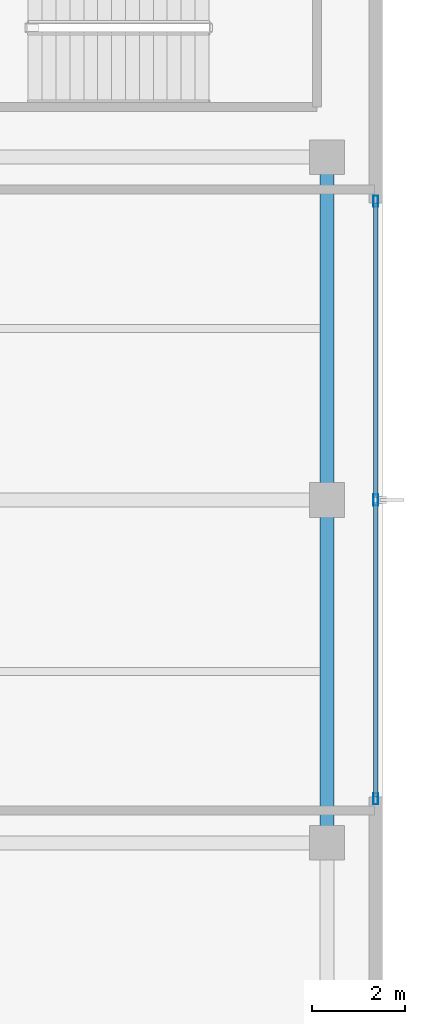
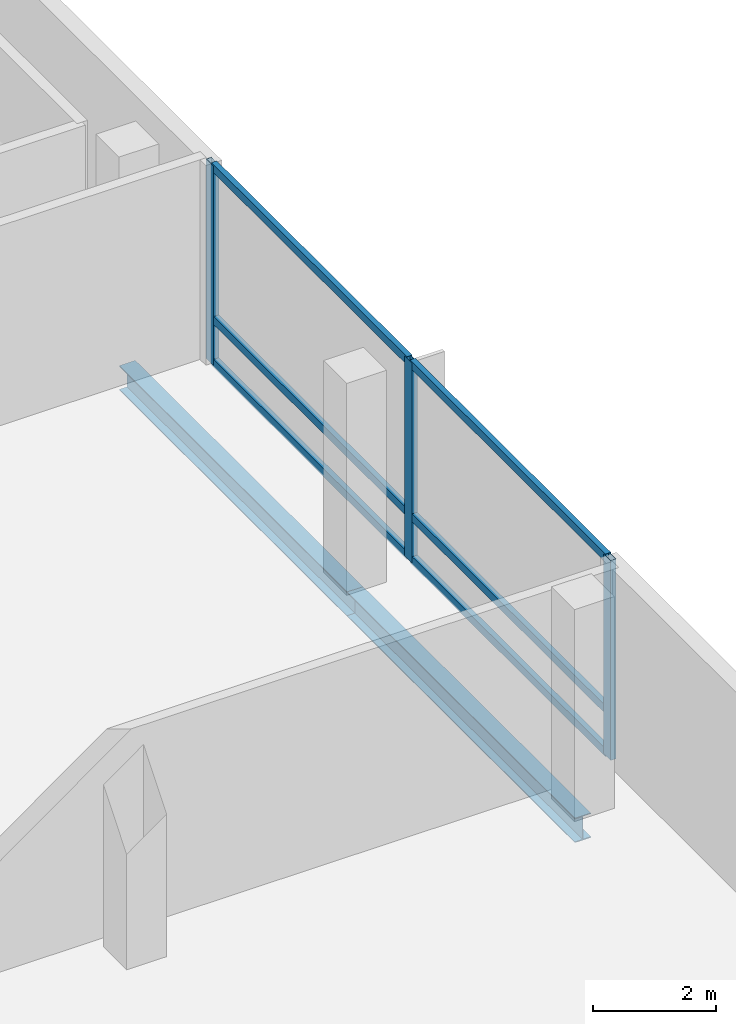
# One storey, part 6 of 19: 9 members, 2 beams, 1 element without a shape of its own.
"""IFC4 building model written with IfcOpenShell, lengths in metres."""

import ifcopenshell
import ifcopenshell.guid

model = None  # the IFC model being written
_history = None  # IfcOwnerHistory: only IFC2X3 demands one
_inside = {}  # id of a spatial element -> (the spatial element, [elements in it])
_under = {}  # id of a project, library or spatial element -> (it, [spatial elements below it])
_declared = {}  # id of a project -> (the project, [libraries it declares])
_typed = {}  # id of a type object -> (the type object, [elements of that type])
_made_of = {}  # id of a material, layer set ... -> (it, [elements and type objects made of it])


def new_model(schema):
    """Start an empty IFC model of exactly this schema.

    Asked for "IFC4X3", IfcOpenShell would pick the latest addendum, in which some entities
    have other attributes; the version numbers below select the first issue.
    IFC2X3 requires an IfcOwnerHistory on every rooted entity: one is made here for all.
    """
    global model, _history
    if schema == "IFC4X3":
        model = ifcopenshell.file(schema_version=(4, 3, 0, 0))
    else:
        model = ifcopenshell.file(schema=schema)
    _inside.clear()
    _under.clear()
    _declared.clear()
    _typed.clear()
    _made_of.clear()
    _history = None
    if model.schema == "IFC2X3":
        org = make("IfcOrganization", Name="unknown")
        user = make(
            "IfcPersonAndOrganization",
            ThePerson=make("IfcPerson", FamilyName="unknown"),
            TheOrganization=org,
        )
        app = make(
            "IfcApplication",
            ApplicationDeveloper=org,
            Version="unknown",
            ApplicationFullName="unknown",
            ApplicationIdentifier="unknown",
        )
        _history = make(
            "IfcOwnerHistory",
            OwningUser=user,
            OwningApplication=app,
            ChangeAction="ADDED",
            CreationDate=0,
        )
    return model


def make(cls, **values):
    """One entity of the class cls with the attributes given. An attribute that is None is left unset."""
    return model.create_entity(
        cls, **{name: value for name, value in values.items() if value is not None}
    )


def rooted(cls, **values):
    """An entity with a GlobalId (a new one), such as an element, a storey or a relation."""
    return make(cls, GlobalId=ifcopenshell.guid.new(), OwnerHistory=_history, **values)


def si_unit(unit_type, name, prefix=None):
    """IfcSIUnit, for example si_unit("LENGTHUNIT", "METRE", prefix="MILLI")."""
    return make("IfcSIUnit", UnitType=unit_type, Prefix=prefix, Name=name)


def assignment(units):
    """IfcUnitAssignment: the units of a project."""
    return None if units is None else make("IfcUnitAssignment", Units=units)


def point(xyz):
    """IfcCartesianPoint."""
    return None if xyz is None else make("IfcCartesianPoint", Coordinates=xyz)


def direction(xyz):
    """IfcDirection."""
    return None if xyz is None else make("IfcDirection", DirectionRatios=xyz)


def frame(location, z_axis=None, x_axis=None):
    """IfcAxis2Placement3D, a coordinate frame: its origin and axes. An axis left out is left unset."""
    return make(
        "IfcAxis2Placement3D",
        Location=point(location),
        Axis=direction(z_axis),
        RefDirection=direction(x_axis),
    )


def frame_2d(location, x_axis=None):
    """IfcAxis2Placement2D, a coordinate frame in the plane: its origin and x axis."""
    return make(
        "IfcAxis2Placement2D", Location=point(location), RefDirection=direction(x_axis)
    )


def origin():
    """The frame at (0, 0, 0) with its axes left unset."""
    return frame((0.0, 0.0, 0.0))


def origin_2d():
    """The frame at (0, 0) in the plane with its x axis left unset."""
    return frame_2d((0.0, 0.0))


def place(relative_to, where):
    """IfcLocalPlacement: puts the frame where relative to a parent placement (None: the world)."""
    return make(
        "IfcLocalPlacement", PlacementRelTo=relative_to, RelativePlacement=where
    )


def context(
    kind, dimensions, precision=None, world=None, true_north=None, identifier=None
):
    """IfcGeometricRepresentationContext, for example the 3D "Model" context."""
    return make(
        "IfcGeometricRepresentationContext",
        ContextIdentifier=identifier,
        ContextType=kind,
        CoordinateSpaceDimension=dimensions,
        Precision=precision,
        WorldCoordinateSystem=world,
        TrueNorth=true_north,
    )


def subcontext(parent, identifier, kind, view, scale=None):
    """IfcGeometricRepresentationSubContext, for example "Body" below "Model"."""
    return make(
        "IfcGeometricRepresentationSubContext",
        ContextIdentifier=identifier,
        ContextType=kind,
        ParentContext=parent,
        TargetScale=scale,
        TargetView=view,
    )


def project(units=None, contexts=None):
    """IfcProject with its units and contexts."""
    return rooted(
        "IfcProject",
        Name="project",
        RepresentationContexts=contexts,
        UnitsInContext=assignment(units),
    )


def spatial(cls, under=None, at=None, **own):
    """A site, building, storey or space (cls), placed at a placement, below another one or the project."""
    s = rooted(cls, ObjectPlacement=at, **own)
    if under is not None:
        _under.setdefault(under.id(), (under, []))[1].append(s)
    return s


def profile(cls, at=None, kind="AREA", **sizes):
    """A parametric profile (cls). Its sizes go by their IFC names, for example OverallWidth=200.0."""
    return make(cls, ProfileType=kind, Position=at, **sizes)


def hollow_rectangle(**sizes):
    """IfcRectangleHollowProfileDef."""
    return profile("IfcRectangleHollowProfileDef", **sizes)


def i_section(**sizes):
    """IfcIShapeProfileDef."""
    return profile("IfcIShapeProfileDef", **sizes)


def extrude(swept, where, along, depth):
    """IfcExtrudedAreaSolid: the profile swept, set in the frame where, extruded along a direction by depth."""
    return make(
        "IfcExtrudedAreaSolid",
        SweptArea=swept,
        Position=where,
        ExtrudedDirection=direction(along),
        Depth=depth,
    )


def shape(context_of_items, identifier, shape_type, items):
    """IfcShapeRepresentation: the items that make up one representation, for example the "Body"."""
    return make(
        "IfcShapeRepresentation",
        ContextOfItems=context_of_items,
        RepresentationIdentifier=identifier,
        RepresentationType=shape_type,
        Items=items,
    )


def material(Name=None, Category=None):
    """IfcMaterial."""
    return make("IfcMaterial", Name=Name, Category=Category)


def layer(
    of_material, thickness, ventilated=None, Name=None, Category=None, Priority=None
):
    """IfcMaterialLayer: one layer of a wall or slab, of a material (None: an air gap)."""
    return make(
        "IfcMaterialLayer",
        Material=of_material,
        LayerThickness=thickness,
        IsVentilated=ventilated,
        Name=Name,
        Category=Category,
        Priority=Priority,
    )


def layer_set(layers, Name=None):
    """IfcMaterialLayerSet."""
    return make("IfcMaterialLayerSet", MaterialLayers=layers, LayerSetName=Name)


def material_profile(
    of_material, cross_section, Name=None, Category=None, Priority=None
):
    """IfcMaterialProfile: a cross section and its material."""
    return make(
        "IfcMaterialProfile",
        Name=Name,
        Material=of_material,
        Profile=cross_section,
        Priority=Priority,
        Category=Category,
    )


def profile_set(profiles, Name=None, composite=None):
    """IfcMaterialProfileSet."""
    return make(
        "IfcMaterialProfileSet",
        Name=Name,
        MaterialProfiles=profiles,
        CompositeProfile=composite,
    )


def made_of(thing, what):
    """Note that an element or type object is made of a material, layer set ...; save() writes the relation."""
    if what is not None:
        _made_of.setdefault(what.id(), (what, []))[1].append(thing)
    return thing


def type_object(cls, material=None, **own):
    """A type object (cls), such as IfcWallType, which elements share."""
    return made_of(rooted(cls, **own), material)


def element(
    cls,
    number,
    at=None,
    inside=None,
    cuts=None,
    type_object=None,
    material=None,
    context=None,
    identifier="Body",
    shape_type=None,
    held_by="IfcProductDefinitionShape",
    body=None,
    shapes=None,
    **own,
):
    """One element of the class cls, such as IfcWall. Its Tag is "e" and its number.

    at: its placement. inside: the storey or other place that contains it. cuts: it is an
    opening in that element (IfcRelVoidsElement). A single representation is given by context,
    identifier, shape_type and body (its items); several are given by shapes. held_by: the class
    of the entity that holds the representations. save() writes the other relations.
    """
    e = rooted(cls, Tag="e%d" % number, ObjectPlacement=at, **own)
    if body is not None:
        shapes = [shape(context, identifier, shape_type, body)]
    if shapes is not None:
        e.Representation = make(held_by, Representations=shapes)
    if inside is not None:
        _inside.setdefault(inside.id(), (inside, []))[1].append(e)
    if cuts is not None:
        rooted(
            "IfcRelVoidsElement", RelatingBuildingElement=cuts, RelatedOpeningElement=e
        )
    if type_object is not None:
        _typed.setdefault(type_object.id(), (type_object, []))[1].append(e)
    return made_of(e, material)


def aggregate(whole, parts):
    """IfcRelAggregates: a whole, such as a stair, and the parts it consists of."""
    return rooted("IfcRelAggregates", RelatingObject=whole, RelatedObjects=parts)


def save(model, path):
    """Write the relations noted so far, then the file.

    IfcRelAggregates (storeys below a building ...), IfcRelContainedInSpatialStructure (elements
    in a storey), IfcRelDefinesByType, IfcRelAssociatesMaterial and IfcRelDeclares: one each for
    every whole, place, type object, material and project.
    """
    for whole, parts in _under.values():
        aggregate(whole, parts)
    for where, things in _inside.values():
        rooted(
            "IfcRelContainedInSpatialStructure",
            RelatedElements=things,
            RelatingStructure=where,
        )
    for kind, things in _typed.values():
        rooted("IfcRelDefinesByType", RelatedObjects=things, RelatingType=kind)
    for what, things in _made_of.values():
        rooted("IfcRelAssociatesMaterial", RelatedObjects=things, RelatingMaterial=what)
    for by, libraries in _declared.values():
        rooted("IfcRelDeclares", RelatingContext=by, RelatedDefinitions=libraries)
    model.write(path)


model = new_model("IFC4")

# Units and contexts
model_context = context("Model", 3, precision=1e-05, world=origin(), true_north=direction((0.0, 1.0)))
body_context = subcontext(model_context, "Body", "Model", "MODEL_VIEW")
ifc_project = project(units=[si_unit("LENGTHUNIT", "METRE"), si_unit("AREAUNIT", "SQUARE_METRE"), si_unit("VOLUMEUNIT", "CUBIC_METRE"), si_unit("PLANEANGLEUNIT", "RADIAN"), si_unit("MASSUNIT", "GRAM", prefix="KILO")], contexts=[model_context])

# Site, building, storey
site_placement = place(None, origin())
site = spatial("IfcSite", under=ifc_project, at=site_placement, CompositionType="ELEMENT")
building_placement = place(site_placement, origin())
building = spatial("IfcBuilding", under=site, at=building_placement, Name="Khorvyn Point Tower", CompositionType="ELEMENT")
storey_placement = place(building_placement, frame((0.0, 0.0, 4.800048828125)))
storey = spatial("IfcBuildingStorey", under=building, at=storey_placement, Name="L02", CompositionType="ELEMENT", Elevation=4.800048828125)

# Curtain wall, members
ifc_material_1 = material(Name="Anodised aluminium 6063-T6 and laminated Low-E glass", Category="aluminium")
ifc_layer = layer(ifc_material_1, 0.18994140625)
ifc_layer_set = layer_set([ifc_layer], Name="Stick-Built Low-E Podium Curtain Wall CW-SYS-01")
curtain_wall_type = type_object("IfcCurtainWallType", Name="Stick-Built Low-E Podium Curtain Wall CW-SYS-01", PredefinedType="NOTDEFINED", material=ifc_layer_set)
curtain_wall_placement = place(storey_placement, origin())
curtain_wall = element("IfcCurtainWall", 1, at=curtain_wall_placement, inside=storey, type_object=curtain_wall_type, Name="Curtain Wall", PredefinedType="NOTDEFINED")
ifc_material_2 = material(Name="Anodised aluminium 6063-T6", Category="aluminium")
ifc_material_profile_1 = material_profile(ifc_material_2, hollow_rectangle(XDim=0.10009765625, YDim=0.239990234375, WallThickness=0.0048828125, at=origin_2d()))
ifc_profile_set_1 = profile_set([ifc_material_profile_1], Name="Anodised aluminium 6063-T6 ALU-MUL-100x240")
member_type_1 = type_object("IfcMemberType", Name="Anodised Aluminium 6063-T6 Mullion ALU-MUL-100x240", PredefinedType="MULLION", material=ifc_profile_set_1)
member_1_placement = place(storey_placement, frame((33.449951171875, -6.449951171875, 0.0), z_axis=(0.0, 0.0, 1.0), x_axis=(-1.0, 0.0, 0.0)))
member_1 = element("IfcMember", 2, at=member_1_placement, type_object=member_type_1, Name="Transom", PredefinedType="MULLION", context=body_context, shape_type="SweptSolid", body=[
    extrude(hollow_rectangle(XDim=0.10009765625, YDim=0.239990234375, WallThickness=0.0048828125, at=origin_2d()), origin(), (0.0, 0.0, 1.0), 3.9599609375),
])
member_2_placement = place(storey_placement, frame((33.449951171875, 0.0, 0.0), z_axis=(0.0, 0.0, 1.0), x_axis=(-1.0, 0.0, 0.0)))
member_2 = element("IfcMember", 3, at=member_2_placement, type_object=member_type_1, Name="Transom", PredefinedType="MULLION", context=body_context, shape_type="SweptSolid", body=[
    extrude(hollow_rectangle(XDim=0.10009765625, YDim=0.239990234375, WallThickness=0.0048828125, at=origin_2d()), origin(), (0.0, 0.0, 1.0), 3.9599609375),
])
member_3_placement = place(storey_placement, frame((33.449951171875, 6.449951171875, 0.0), z_axis=(0.0, 0.0, 1.0), x_axis=(-1.0, 0.0, 0.0)))
member_3 = element("IfcMember", 4, at=member_3_placement, type_object=member_type_1, Name="Transom", PredefinedType="MULLION", context=body_context, shape_type="SweptSolid", body=[
    extrude(hollow_rectangle(XDim=0.10009765625, YDim=0.239990234375, WallThickness=0.0048828125, at=origin_2d()), origin(), (0.0, 0.0, 1.0), 3.9599609375),
])
ifc_material_profile_2 = material_profile(ifc_material_2, hollow_rectangle(XDim=0.10009765625, YDim=0.159912109375, WallThickness=0.00439453125, at=origin_2d()))
ifc_profile_set_2 = profile_set([ifc_material_profile_2], Name="Anodised aluminium 6063-T6 ALU-TRN-100x160")
member_type_2 = type_object("IfcMemberType", Name="Anodised Aluminium 6063-T6 Transom ALU-TRN-100x160", PredefinedType="USERDEFINED", material=ifc_profile_set_2)
member_4_placement = place(storey_placement, frame((33.449951171875, -6.39990234375, 0.050048828125), z_axis=(0.0, 1.0, 0.0), x_axis=(-1.0, 0.0, 0.0)))
member_4 = element("IfcMember", 5, at=member_4_placement, type_object=member_type_2, Name="Transom", ObjectType="TRANSOM", PredefinedType="USERDEFINED", context=body_context, shape_type="SweptSolid", body=[
    extrude(hollow_rectangle(XDim=0.10009765625, YDim=0.159912109375, WallThickness=0.00439453125, at=origin_2d()), origin(), (0.0, 0.0, 1.0), 6.349853515625),
])
member_5_placement = place(storey_placement, frame((33.449951171875, -6.39990234375, 0.89990234375), z_axis=(0.0, 1.0, 0.0), x_axis=(-1.0, 0.0, 0.0)))
member_5 = element("IfcMember", 6, at=member_5_placement, type_object=member_type_2, Name="Transom", ObjectType="TRANSOM", PredefinedType="USERDEFINED", context=body_context, shape_type="SweptSolid", body=[
    extrude(hollow_rectangle(XDim=0.10009765625, YDim=0.159912109375, WallThickness=0.00439453125, at=origin_2d()), origin(), (0.0, 0.0, 1.0), 6.349853515625),
])
member_6_placement = place(storey_placement, frame((33.449951171875, -6.39990234375, 3.909912109375), z_axis=(0.0, 1.0, 0.0), x_axis=(-1.0, 0.0, 0.0)))
member_6 = element("IfcMember", 7, at=member_6_placement, type_object=member_type_2, Name="Transom", ObjectType="TRANSOM", PredefinedType="USERDEFINED", context=body_context, shape_type="SweptSolid", body=[
    extrude(hollow_rectangle(XDim=0.10009765625, YDim=0.159912109375, WallThickness=0.00439453125, at=origin_2d()), origin(), (0.0, 0.0, 1.0), 6.349853515625),
])
member_7_placement = place(storey_placement, frame((33.449951171875, 0.050048828125, 0.050048828125), z_axis=(0.0, 1.0, 0.0), x_axis=(-1.0, 0.0, 0.0)))
member_7 = element("IfcMember", 8, at=member_7_placement, type_object=member_type_2, Name="Transom", ObjectType="TRANSOM", PredefinedType="USERDEFINED", context=body_context, shape_type="SweptSolid", body=[
    extrude(hollow_rectangle(XDim=0.10009765625, YDim=0.159912109375, WallThickness=0.00439453125, at=origin_2d()), origin(), (0.0, 0.0, 1.0), 6.349853515625),
])
member_8_placement = place(storey_placement, frame((33.449951171875, 0.050048828125, 0.89990234375), z_axis=(0.0, 1.0, 0.0), x_axis=(-1.0, 0.0, 0.0)))
member_8 = element("IfcMember", 9, at=member_8_placement, type_object=member_type_2, Name="Transom", ObjectType="TRANSOM", PredefinedType="USERDEFINED", context=body_context, shape_type="SweptSolid", body=[
    extrude(hollow_rectangle(XDim=0.10009765625, YDim=0.159912109375, WallThickness=0.00439453125, at=origin_2d()), origin(), (0.0, 0.0, 1.0), 6.349853515625),
])
member_9_placement = place(storey_placement, frame((33.449951171875, 0.050048828125, 3.909912109375), z_axis=(0.0, 1.0, 0.0), x_axis=(-1.0, 0.0, 0.0)))
member_9 = element("IfcMember", 10, at=member_9_placement, type_object=member_type_2, Name="Transom", ObjectType="TRANSOM", PredefinedType="USERDEFINED", context=body_context, shape_type="SweptSolid", body=[
    extrude(hollow_rectangle(XDim=0.10009765625, YDim=0.159912109375, WallThickness=0.00439453125, at=origin_2d()), origin(), (0.0, 0.0, 1.0), 6.349853515625),
])
aggregate(curtain_wall, [member_1, member_2, member_3, member_4, member_5, member_6, member_7, member_8, member_9])

# Beams
ifc_material_3 = material(Name="Steel S355", Category="steel")
ifc_material_profile_3 = material_profile(ifc_material_3, i_section(OverallWidth=0.300048828125, OverallDepth=0.488037109375, WebThickness=0.010986328125, FlangeThickness=0.01806640625, at=origin_2d()))
ifc_profile_set_3 = profile_set([ifc_material_profile_3], Name="Steel S355 H488x300x11x18")
beam_type = type_object("IfcBeamType", Name="Steel S355 Spandrel H488x300x11x18", PredefinedType="SPANDREL", material=ifc_profile_set_3)
for number, where, z_axis, x_axis, name in (
    (11, (32.39990234375, -7.39990234375, -0.484130859375), (0.0, 1.0, 0.0), (-1.0, 0.0, 0.0), "Beam"),
    (12, (32.39990234375, 0.0, -0.484130859375), (0.0, 1.0, 0.0), (-1.0, 0.0, 0.0), "Beam"),
):
    element("IfcBeam", number, at=place(storey_placement, frame(where, z_axis=z_axis, x_axis=x_axis)), inside=storey, type_object=beam_type, Name=name, PredefinedType="SPANDREL", context=body_context, shape_type="SweptSolid", body=[
        extrude(i_section(OverallWidth=0.300048828125, OverallDepth=0.488037109375, WebThickness=0.010986328125, FlangeThickness=0.01806640625, at=origin_2d()), origin(), (0.0, 0.0, 1.0), 7.39990234375),
    ])

save(model, "model.ifc")
